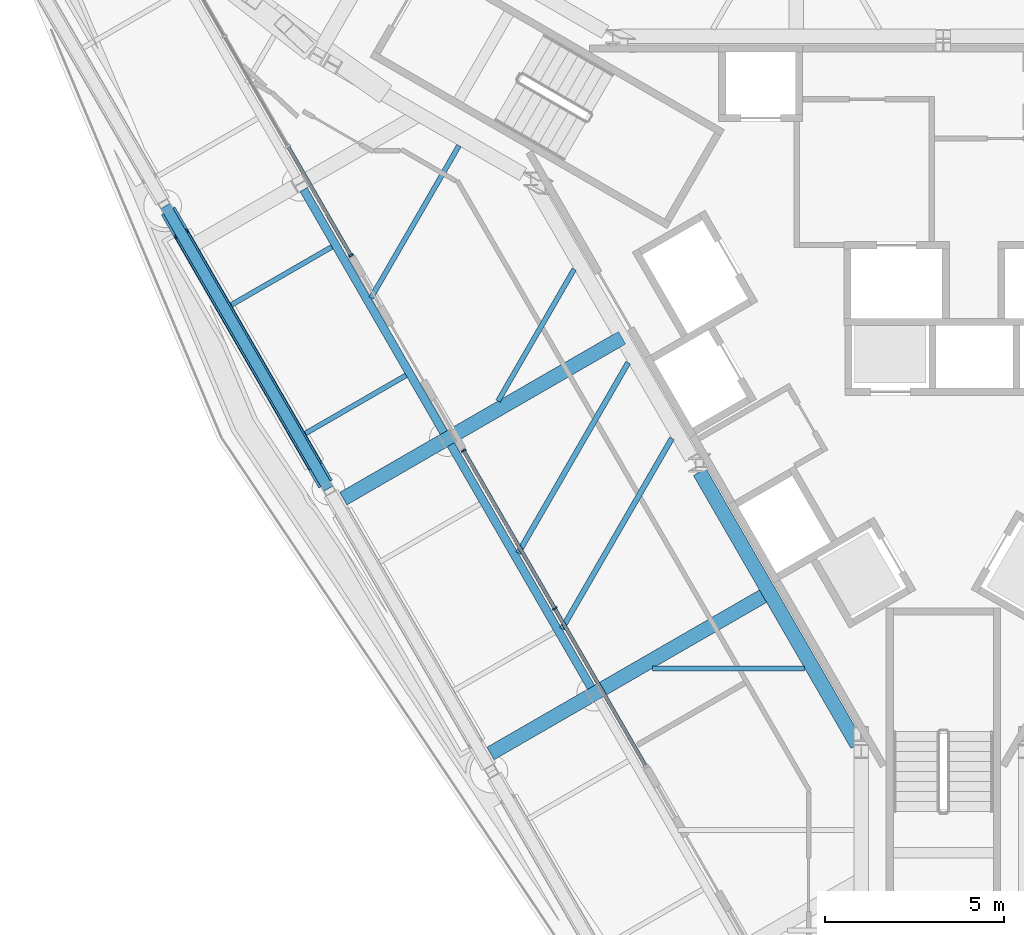
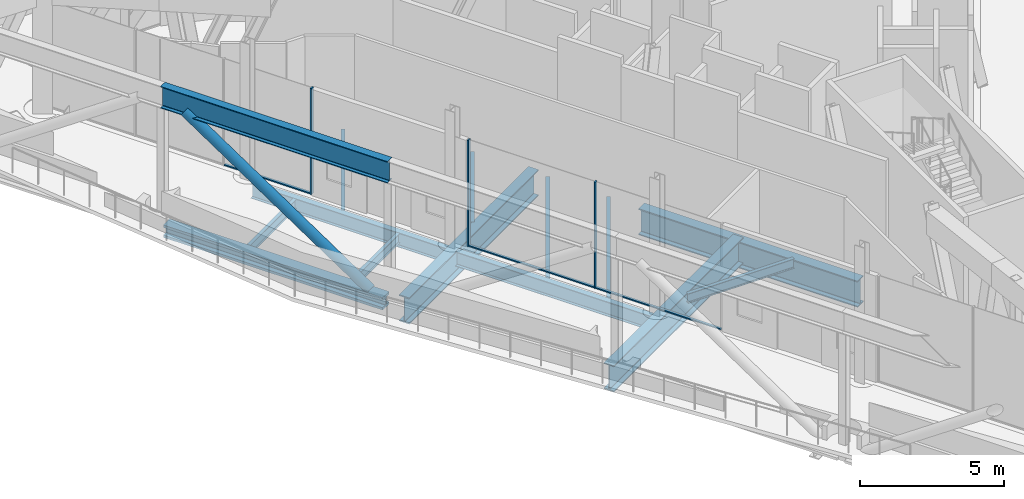
# One storey, part 7 of 25: 14 beams, 7 members, 2 elements without a shape of their own.
"""IFC4 building model written with IfcOpenShell, lengths in metres."""

from ifc_helpers import new_model, si_unit, direction, frame, origin, origin_2d, place, context, subcontext, project, spatial, rectangle, hollow_circle, i_section, extrude, material, material_profile, profile_set, type_object, element, aggregate, save


model = new_model("IFC4")

# Units and contexts
model_context = context("Model", 3, precision=1e-05, world=origin(), true_north=direction((0.0, 1.0)))
body_context = subcontext(model_context, "Body", "Model", "MODEL_VIEW")
ifc_project = project(units=[si_unit("LENGTHUNIT", "METRE"), si_unit("AREAUNIT", "SQUARE_METRE"), si_unit("VOLUMEUNIT", "CUBIC_METRE"), si_unit("PLANEANGLEUNIT", "RADIAN"), si_unit("MASSUNIT", "GRAM", prefix="KILO")], contexts=[model_context])

# Site, building, storey
site_placement = place(None, origin())
site = spatial("IfcSite", under=ifc_project, at=site_placement, CompositionType="ELEMENT")
building_placement = place(site_placement, origin())
building = spatial("IfcBuilding", under=site, at=building_placement, Name="Verrane Prism Tower", CompositionType="ELEMENT")
storey_placement = place(building_placement, frame((0.0, 0.0, 258.199951171875)))
storey = spatial("IfcBuildingStorey", under=building, at=storey_placement, Name="L65", CompositionType="ELEMENT", Elevation=258.199951171875)

# Beams
ifc_material_1 = material(Name="Steel A992", Category="steel")
ifc_material_profile_1 = material_profile(ifc_material_1, i_section(OverallWidth=0.44189453125, OverallDepth=0.53076171875, WebThickness=0.06591796875, FlangeThickness=0.105712890625, FilletRadius=0.01513671875, at=origin_2d()), Name="W14x605")
ifc_profile_set_1 = profile_set([ifc_material_profile_1], Name="Steel A992")
beam_type_1 = type_object("IfcBeamType", Name="Belt truss chord W14x605", PredefinedType="BEAM", material=ifc_profile_set_1)
beam_1_placement = place(storey_placement, frame((-21.69384765625, 3.117919921875, -0.424560546875), z_axis=(0.499430258134, -0.866354094618, 0.0), x_axis=(0.866354094618, 0.499430258134, 0.0)))
element("IfcBeam", 1, at=beam_1_placement, inside=storey, type_object=beam_type_1, Name="Belt truss chord L65", PredefinedType="BEAM", context=body_context, shape_type="SweptSolid", body=[
    extrude(i_section(OverallWidth=0.44189453125, OverallDepth=0.53076171875, WebThickness=0.06591796875, FlangeThickness=0.105712890625, FilletRadius=0.01513671875, at=origin_2d()), origin(), (0.0, 0.0, 1.0), 8.825439453125),
])
ifc_material_2 = material(Name="Steel A992", Category="steel")
ifc_material_profile_2 = material_profile(ifc_material_2, i_section(OverallWidth=0.307373046875, OverallDepth=0.927001953125, WebThickness=0.01953125, FlangeThickness=0.031982421875, FilletRadius=0.01904296875, at=origin_2d()), Name="W36x194")
ifc_profile_set_2 = profile_set([ifc_material_profile_2], Name="Steel A992")
beam_type_2 = type_object("IfcBeamType", Name="Belt truss chord W36x194", PredefinedType="BEAM", material=ifc_profile_set_2)
beam_2_placement = place(storey_placement, frame((-21.77001953125, 3.25, 5.176513671875), z_axis=(0.499446957289, -0.866344467781, 0.0), x_axis=(0.866344467781, 0.499446957289, 0.0)))
element("IfcBeam", 2, at=beam_2_placement, inside=storey, type_object=beam_type_2, Name="Belt truss chord L65", PredefinedType="BEAM", context=body_context, shape_type="SweptSolid", body=[
    extrude(i_section(OverallWidth=0.307373046875, OverallDepth=0.927001953125, WebThickness=0.01953125, FlangeThickness=0.031982421875, FilletRadius=0.01904296875, at=origin_2d()), origin(), (0.0, 0.0, 1.0), 9.130126953125),
])

# Member
ifc_material_3 = material(Name="Steel A500 Grade C", Category="steel")
ifc_material_profile_3 = material_profile(ifc_material_3, hollow_circle(Radius=0.203125, WallThickness=0.0126953125, at=origin_2d()), Name="HSS16.000x0.500")
ifc_profile_set_3 = profile_set([ifc_material_profile_3], Name="Steel A500 Grade C")
member_type_1 = type_object("IfcMemberType", Name="Belt truss diagonal HSS16.000x0.500", PredefinedType="BRACE", material=ifc_profile_set_3)
member_1_placement = place(storey_placement, frame((-17.595947265625, -3.990478515625, -0.158935546875), z_axis=(-0.41522176551, 0.720258224356, 0.55571483307), x_axis=(-0.866347891531, -0.499441018379, 0.0)))
element("IfcMember", 3, at=member_1_placement, inside=storey, type_object=member_type_1, Name="Belt truss diagonal L65", PredefinedType="BRACE", context=body_context, shape_type="SweptSolid", body=[
    extrude(hollow_circle(Radius=0.203125, WallThickness=0.0126953125, at=origin_2d()), origin(), (0.0, 0.0, 1.0), 8.9736328125),
])

# Beams
ifc_material_4 = material(Name="Steel A992", Category="steel")
ifc_material_profile_4 = material_profile(ifc_material_4, i_section(OverallWidth=0.140380859375, OverallDepth=0.40380859375, WebThickness=0.007080078125, FlangeThickness=0.01123046875, FilletRadius=0.01025390625, at=origin_2d()), Name="W16x31")
ifc_profile_set_4 = profile_set([ifc_material_profile_4], Name="Steel A992")
beam_type_3 = type_object("IfcBeamType", Name="Floor beam W16x31", PredefinedType="BEAM", material=ifc_profile_set_4)
beam_3_placement = place(storey_placement, frame((-17.8466796875, -3.11328125, -0.36181640625), z_axis=(0.866027848477, 0.499995765644, 0.0), x_axis=(-0.499995765644, 0.866027848477, 0.0)))
element("IfcBeam", 4, at=beam_3_placement, inside=storey, type_object=beam_type_3, Name="Floor beam L65", PredefinedType="BEAM", context=body_context, shape_type="SweptSolid", body=[
    extrude(i_section(OverallWidth=0.140380859375, OverallDepth=0.40380859375, WebThickness=0.007080078125, FlangeThickness=0.01123046875, FilletRadius=0.01025390625, at=origin_2d()), origin(), (0.0, 0.0, 1.0), 3.24755859375),
])
beam_4_placement = place(storey_placement, frame((-19.920166015625, 0.483642578125, -0.36181640625), z_axis=(0.866026499801, 0.499998101639, 0.0), x_axis=(-0.499998101639, 0.866026499801, 0.0)))
element("IfcBeam", 5, at=beam_4_placement, inside=storey, type_object=beam_type_3, Name="Floor beam L65", PredefinedType="BEAM", context=body_context, shape_type="SweptSolid", body=[
    extrude(i_section(OverallWidth=0.140380859375, OverallDepth=0.40380859375, WebThickness=0.007080078125, FlangeThickness=0.01123046875, FilletRadius=0.01025390625, at=origin_2d()), origin(), (0.0, 0.0, 1.0), 3.24560546875),
])
beam_5_placement = place(storey_placement, frame((-12.45947265625, -2.20751953125, -0.36181640625), z_axis=(0.499973866067, 0.866040491692, 0.0), x_axis=(-0.866040491692, 0.499973866067, 0.0)))
element("IfcBeam", 6, at=beam_5_placement, inside=storey, type_object=beam_type_3, Name="Floor beam L65", PredefinedType="BEAM", context=body_context, shape_type="SweptSolid", body=[
    extrude(i_section(OverallWidth=0.140380859375, OverallDepth=0.40380859375, WebThickness=0.007080078125, FlangeThickness=0.01123046875, FilletRadius=0.01025390625, at=origin_2d()), origin(), (0.0, 0.0, 1.0), 4.259033203125),
])
beam_6_placement = place(storey_placement, frame((-16.016845703125, 0.673095703125, -0.36181640625), z_axis=(0.500025682568, 0.866010575439, 0.0), x_axis=(-0.866010575439, 0.500025682568, 0.0)))
element("IfcBeam", 7, at=beam_6_placement, inside=storey, type_object=beam_type_3, Name="Floor beam L65", PredefinedType="BEAM", context=body_context, shape_type="SweptSolid", body=[
    extrude(i_section(OverallWidth=0.140380859375, OverallDepth=0.40380859375, WebThickness=0.007080078125, FlangeThickness=0.01123046875, FilletRadius=0.01025390625, at=origin_2d()), origin(), (0.0, 0.0, 1.0), 4.925048828125),
])
beam_7_placement = place(storey_placement, frame((-8.14208984375, -9.68994140625, -0.36181640625), z_axis=(1.0, 0.0, 0.0), x_axis=(0.0, 1.0, 0.0)))
element("IfcBeam", 8, at=beam_7_placement, inside=storey, type_object=beam_type_3, Name="Floor beam L65", PredefinedType="BEAM", context=body_context, shape_type="SweptSolid", body=[
    extrude(i_section(OverallWidth=0.140380859375, OverallDepth=0.40380859375, WebThickness=0.007080078125, FlangeThickness=0.01123046875, FilletRadius=0.01025390625, at=origin_2d()), origin(), (0.0, 0.0, 1.0), 4.26318359375),
])
ifc_material_5 = material(Name="Steel A992", Category="steel")
ifc_material_profile_5 = material_profile(ifc_material_5, i_section(OverallWidth=0.15234375, OverallDepth=0.449462890625, WebThickness=0.007568359375, FlangeThickness=0.0107421875, FilletRadius=0.01025390625, at=origin_2d()), Name="W18x35")
ifc_profile_set_5 = profile_set([ifc_material_profile_5], Name="Steel A992")
beam_type_4 = type_object("IfcBeamType", Name="Floor beam W18x35", PredefinedType="BEAM", material=ifc_profile_set_5)
beam_8_placement = place(storey_placement, frame((-10.67236328125, -8.581298828125, -0.384765625), z_axis=(0.499992650217, 0.866029647142, 0.0), x_axis=(-0.866029647142, 0.499992650217, 0.0)))
element("IfcBeam", 9, at=beam_8_placement, inside=storey, type_object=beam_type_4, Name="Floor beam L65", PredefinedType="BEAM", context=body_context, shape_type="SweptSolid", body=[
    extrude(i_section(OverallWidth=0.15234375, OverallDepth=0.449462890625, WebThickness=0.007568359375, FlangeThickness=0.0107421875, FilletRadius=0.01025390625, at=origin_2d()), origin(), (0.0, 0.0, 1.0), 6.15283203125),
])
beam_9_placement = place(storey_placement, frame((-11.896484375, -6.462890625, -0.384765625), z_axis=(0.500023649821, 0.866011749123, 0.0), x_axis=(-0.866011749123, 0.500023649821, 0.0)))
element("IfcBeam", 10, at=beam_9_placement, inside=storey, type_object=beam_type_4, Name="Floor beam L65", PredefinedType="BEAM", context=body_context, shape_type="SweptSolid", body=[
    extrude(i_section(OverallWidth=0.15234375, OverallDepth=0.449462890625, WebThickness=0.007568359375, FlangeThickness=0.0107421875, FilletRadius=0.01025390625, at=origin_2d()), origin(), (0.0, 0.0, 1.0), 6.151123046875),
])

# Curtain wall, member
ifc_material_6 = material(Name="Aluminium framed insulated glazing", Category="aluminium")
curtain_wall_type = type_object("IfcCurtainWallType", Name="Curtain wall CW-C 4200 module", PredefinedType="NOTDEFINED", material=ifc_material_6)
curtain_wall_1_placement = place(storey_placement, origin())
curtain_wall_1 = element("IfcCurtainWall", 11, at=curtain_wall_1_placement, inside=storey, type_object=curtain_wall_type, Name="Refuge lounge glazing south-west face L65 1", PredefinedType="NOTDEFINED")
ifc_material_7 = material(Name="Aluminium alloy 6063-T6", Category="aluminium")
ifc_material_profile_6 = material_profile(ifc_material_7, rectangle(XDim=0.139892578125, YDim=0.050048828125, at=origin_2d()), Name="Mullion 50x140 aluminium")
ifc_profile_set_6 = profile_set([ifc_material_profile_6], Name="Aluminium alloy 6063-T6")
member_type_2 = type_object("IfcMemberType", Name="Mullion 50x140 aluminium", PredefinedType="MULLION", material=ifc_profile_set_6)
member_2_placement = place(storey_placement, frame((-16.576416015625, 1.867431640625, 0.0), z_axis=(0.0, 0.0, 1.0), x_axis=(0.866026892468, 0.499997421516, 0.0)))
member_2 = element("IfcMember", 12, at=member_2_placement, type_object=member_type_2, Name="CW65.4.1 mullion 4", PredefinedType="MULLION", context=body_context, shape_type="SweptSolid", body=[
    extrude(rectangle(XDim=0.139892578125, YDim=0.050048828125, at=origin_2d()), origin(), (0.0, 0.0, 1.0), 4.5224609375),
])

# Curtain wall, members
curtain_wall_2_placement = place(storey_placement, origin())
curtain_wall_2 = element("IfcCurtainWall", 13, at=curtain_wall_2_placement, inside=storey, type_object=curtain_wall_type, Name="Refuge lounge glazing south-west face L65 2", PredefinedType="NOTDEFINED")
member_3_placement = place(storey_placement, frame((-13.42138671875, -3.59716796875, 0.0), z_axis=(0.0, 0.0, 1.0), x_axis=(0.866024665326, 0.500001279045, 0.0)))
member_3 = element("IfcMember", 14, at=member_3_placement, type_object=member_type_2, Name="CW65.4.2 mullion 1", PredefinedType="MULLION", context=body_context, shape_type="SweptSolid", body=[
    extrude(rectangle(XDim=0.139892578125, YDim=0.050048828125, at=origin_2d()), origin(), (0.0, 0.0, 1.0), 4.5224609375),
])
member_4_placement = place(storey_placement, frame((-10.87255859375, -8.01171875, 0.0), z_axis=(0.0, 0.0, 1.0), x_axis=(0.866024665326, 0.500001279045, 0.0)))
member_4 = element("IfcMember", 15, at=member_4_placement, type_object=member_type_2, Name="CW65.4.2 mullion 2", PredefinedType="MULLION", context=body_context, shape_type="SweptSolid", body=[
    extrude(rectangle(XDim=0.139892578125, YDim=0.050048828125, at=origin_2d()), origin(), (0.0, 0.0, 1.0), 4.5224609375),
])

# Beams
ifc_material_8 = material(Name="Steel A992", Category="steel")
ifc_material_profile_7 = material_profile(ifc_material_8, i_section(OverallWidth=0.23046875, OverallDepth=0.6171875, WebThickness=0.01318359375, FlangeThickness=0.022216796875, FilletRadius=0.012939453125, at=origin_2d()), Name="W24x94")
ifc_profile_set_7 = profile_set([ifc_material_profile_7], Name="Steel A992")
beam_type_5 = type_object("IfcBeamType", Name="Spandrel beam W24x94", PredefinedType="SPANDREL", material=ifc_profile_set_7)
beam_10_placement = place(storey_placement, frame((-17.901611328125, 3.70947265625, -0.468505859375), z_axis=(0.499775405071, -0.866155034902, 0.0), x_axis=(0.866155034902, 0.499775405071, 0.0)))
element("IfcBeam", 16, at=beam_10_placement, inside=storey, type_object=beam_type_5, Name="Spandrel beam L65", PredefinedType="SPANDREL", context=body_context, shape_type="SweptSolid", body=[
    extrude(i_section(OverallWidth=0.23046875, OverallDepth=0.6171875, WebThickness=0.01318359375, FlangeThickness=0.022216796875, FilletRadius=0.012939453125, at=origin_2d()), origin(), (0.0, 0.0, 1.0), 7.849609375),
])
beam_11_placement = place(storey_placement, frame((-13.781494140625, -3.430419921875, -0.468505859375), z_axis=(0.500327915282, -0.865835999015, 0.0), x_axis=(0.865835999015, 0.500327915282, 0.0)))
element("IfcBeam", 17, at=beam_11_placement, inside=storey, type_object=beam_type_5, Name="Spandrel beam L65", PredefinedType="SPANDREL", context=body_context, shape_type="SweptSolid", body=[
    extrude(i_section(OverallWidth=0.23046875, OverallDepth=0.6171875, WebThickness=0.01318359375, FlangeThickness=0.022216796875, FilletRadius=0.012939453125, at=origin_2d()), origin(), (0.0, 0.0, 1.0), 7.841064453125),
])
ifc_material_9 = material(Name="Steel A992", Category="steel")
ifc_material_profile_8 = material_profile(ifc_material_9, i_section(OverallWidth=0.40380859375, OverallDepth=1.11767578125, WebThickness=0.026123046875, FlangeThickness=0.044921875, FilletRadius=0.02001953125, at=origin_2d()), Name="W44x335")
ifc_profile_set_8 = profile_set([ifc_material_profile_8], Name="Steel A992")
beam_type_6 = type_object("IfcBeamType", Name="Transfer girder W44x335", PredefinedType="BEAM", material=ifc_profile_set_8)
beam_12_placement = place(storey_placement, frame((-6.818603515625, -4.193115234375, -0.808837890625), z_axis=(0.499987781028, -0.866032458297, 0.0), x_axis=(0.866032458297, 0.499987781028, 0.0)))
element("IfcBeam", 18, at=beam_12_placement, inside=storey, type_object=beam_type_6, Name="Transfer girder L65", PredefinedType="BEAM", context=body_context, shape_type="SweptSolid", body=[
    extrude(i_section(OverallWidth=0.40380859375, OverallDepth=1.11767578125, WebThickness=0.026123046875, FlangeThickness=0.044921875, FilletRadius=0.02001953125, at=origin_2d()), origin(), (0.0, 0.0, 1.0), 8.814697265625),
])
beam_13_placement = place(storey_placement, frame((-16.78857421875, -4.939208984375, -0.71875), z_axis=(0.866031222663, 0.499989921271, 0.0), x_axis=(-0.499989921271, 0.866031222663, 0.0)))
element("IfcBeam", 19, at=beam_13_placement, inside=storey, type_object=beam_type_6, Name="Transfer girder L65", PredefinedType="BEAM", context=body_context, shape_type="SweptSolid", body=[
    extrude(i_section(OverallWidth=0.40380859375, OverallDepth=1.11767578125, WebThickness=0.026123046875, FlangeThickness=0.044921875, FilletRadius=0.02001953125, at=origin_2d()), origin(), (0.0, 0.0, 1.0), 9.007568359375),
])
beam_14_placement = place(storey_placement, frame((-12.671142578125, -12.07080078125, -0.71875), z_axis=(0.866024446665, 0.500001657777, 0.0), x_axis=(-0.500001657777, 0.866024446665, 0.0)))
element("IfcBeam", 20, at=beam_14_placement, inside=storey, type_object=beam_type_6, Name="Transfer girder L65", PredefinedType="BEAM", context=body_context, shape_type="SweptSolid", body=[
    extrude(i_section(OverallWidth=0.40380859375, OverallDepth=1.11767578125, WebThickness=0.026123046875, FlangeThickness=0.044921875, FilletRadius=0.02001953125, at=origin_2d()), origin(), (0.0, 0.0, 1.0), 9.00732421875),
])

# Member
ifc_material_10 = material(Name="Aluminium alloy 6063-T6", Category="aluminium")
ifc_material_profile_9 = material_profile(ifc_material_10, rectangle(XDim=0.10009765625, YDim=0.050048828125, at=origin_2d()), Name="Transom 50x100 aluminium")
ifc_profile_set_9 = profile_set([ifc_material_profile_9], Name="Aluminium alloy 6063-T6")
member_type_3 = type_object("IfcMemberType", Name="Transom 50x100 aluminium", PredefinedType="USERDEFINED", material=ifc_profile_set_9)
member_5_placement = place(storey_placement, frame((-18.326416015625, 4.898681640625, 0.025146484375), z_axis=(0.499969750793, -0.866042867468, 0.0), x_axis=(0.866042867468, 0.499969750793, 0.0)))
member_5 = element("IfcMember", 21, at=member_5_placement, type_object=member_type_3, Name="CW65.4.1 transom 3", ObjectType="TRANSOM", PredefinedType="USERDEFINED", context=body_context, shape_type="SweptSolid", body=[
    extrude(rectangle(XDim=0.10009765625, YDim=0.050048828125, at=origin_2d()), origin(), (0.0, 0.0, 1.0), 3.475341796875),
])

aggregate(curtain_wall_1, [member_2, member_5])

member_6_placement = place(storey_placement, frame((-13.40869140625, -3.618896484375, 0.025146484375), z_axis=(0.499983437268, -0.866034966071, 0.0), x_axis=(0.866034966071, 0.499983437268, 0.0)))
member_6 = element("IfcMember", 22, at=member_6_placement, type_object=member_type_3, Name="CW65.4.2 transom 1", ObjectType="TRANSOM", PredefinedType="USERDEFINED", context=body_context, shape_type="SweptSolid", body=[
    extrude(rectangle(XDim=0.10009765625, YDim=0.050048828125, at=origin_2d()), origin(), (0.0, 0.0, 1.0), 5.047607421875),
])

member_7_placement = place(storey_placement, frame((-10.860107421875, -8.033447265625, 0.025146484375), z_axis=(0.500019713001, -0.866014022179, 0.0), x_axis=(0.866014022179, 0.500019713001, 0.0)))
member_7 = element("IfcMember", 23, at=member_7_placement, type_object=member_type_3, Name="CW65.4.2 transom 2", ObjectType="TRANSOM", PredefinedType="USERDEFINED", context=body_context, shape_type="SweptSolid", body=[
    extrude(rectangle(XDim=0.10009765625, YDim=0.050048828125, at=origin_2d()), origin(), (0.0, 0.0, 1.0), 5.047607421875),
])

aggregate(curtain_wall_2, [member_3, member_4, member_6, member_7])

save(model, "model.ifc")
